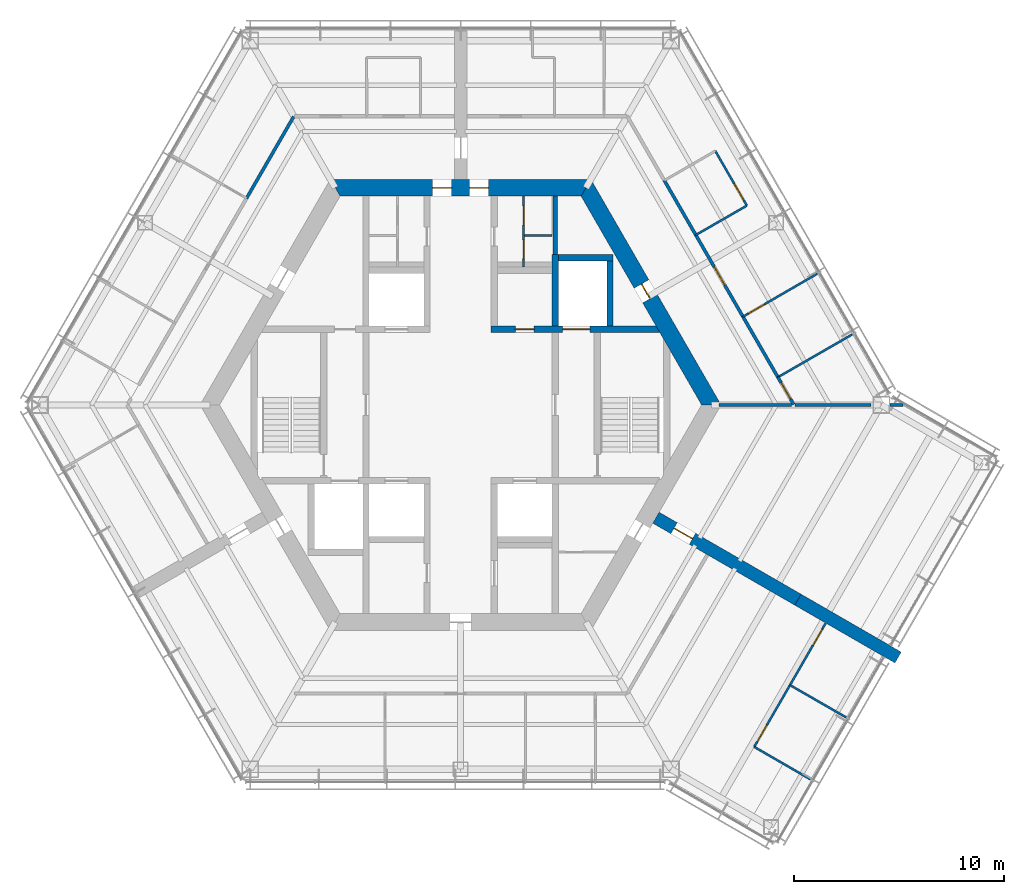
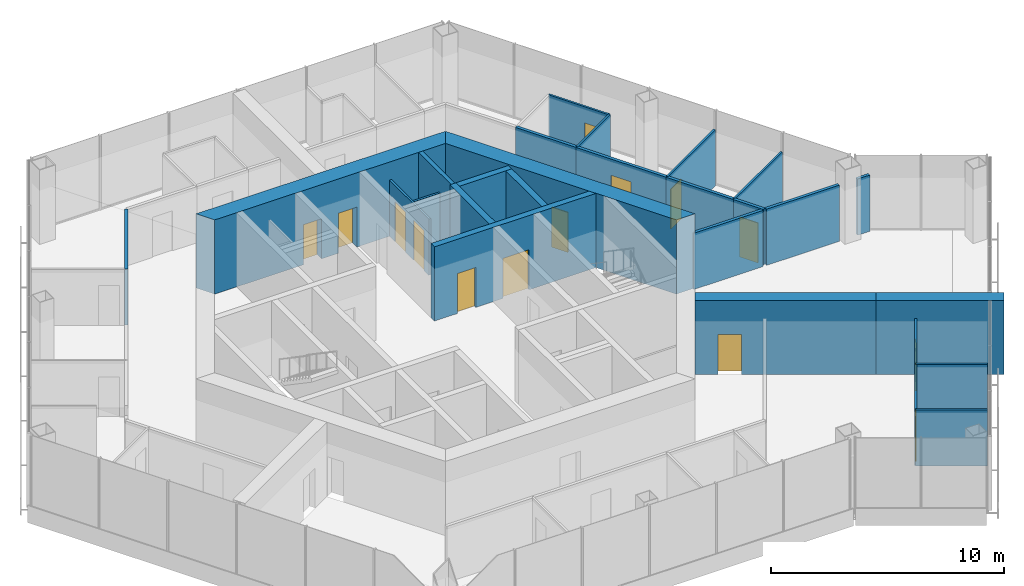
# One storey, part 9 of 13: 27 walls, 14 doors, 14 openings.
"""IFC4 building model written with IfcOpenShell, lengths in metres."""

from ifc_helpers import new_model, si_unit, direction, frame, frame_2d, origin, place, context, subcontext, project, spatial, polyline, rectangle, outline, extrude, material, layer, layer_set, type_object, element, fill, save


model = new_model("IFC4")

# Units and contexts
model_context = context("Model", 3, precision=1e-05, world=origin(), true_north=direction((0.0, 1.0)))
body_context = subcontext(model_context, "Body", "Model", "MODEL_VIEW")
ifc_project = project(units=[si_unit("LENGTHUNIT", "METRE"), si_unit("AREAUNIT", "SQUARE_METRE"), si_unit("VOLUMEUNIT", "CUBIC_METRE"), si_unit("PLANEANGLEUNIT", "RADIAN"), si_unit("MASSUNIT", "GRAM", prefix="KILO")], contexts=[model_context])

# Site, building, storey
site_placement = place(None, origin())
site = spatial("IfcSite", under=ifc_project, at=site_placement, CompositionType="ELEMENT")
building_placement = place(site_placement, origin())
building = spatial("IfcBuilding", under=site, at=building_placement, Name="Kasaneha Research Tower", CompositionType="ELEMENT")
storey_placement = place(building_placement, frame((0.0, 0.0, 271.300048828125)))
storey = spatial("IfcBuildingStorey", under=building, at=storey_placement, Name="L68", CompositionType="ELEMENT", Elevation=271.300048828125)

# Wall, openings, doors
ifc_material_1 = material(Name="Concrete Fc60", Category="concrete")
ifc_layer_1 = layer(ifc_material_1, 0.300048828125)
ifc_layer_set_1 = layer_set([ifc_layer_1], Name="Core internal wall 300 Fc60")
wall_type_1 = type_object("IfcWallType", Name="Core internal wall 300 Fc60", PredefinedType="SHEAR", material=ifc_layer_set_1)
wall_1_placement = place(storey_placement, frame((1.449951171875, 3.60009765625, 0.0), z_axis=(0.0, 0.0, 1.0), x_axis=(1.0, 0.0, 0.0)))
wall_1 = element("IfcWall", 1, at=wall_1_placement, inside=storey, type_object=wall_type_1, Name="Core wall W1E L68", PredefinedType="SHEAR", context=body_context, shape_type="SweptSolid", body=[
    extrude(outline(polyline([(0.0, -0.14990234375), (1.14990234375, -0.14990234375), (2.0498046875, -0.14990234375), (3.39990234375, -0.14990234375), (4.699951171875, -0.14990234375), (8.0185546875, -0.14990234375), (7.84521484375, 0.14990234375), (4.699951171875, 0.14990234375), (3.39990234375, 0.14990234375), (2.0498046875, 0.14990234375), (1.14990234375, 0.14990234375), (0.0, 0.14990234375), (0.0, -0.14990234375)])), origin(), (0.0, 0.0, 1.0), 3.89990234375),
])
opening_1_placement = place(wall_1_placement, frame((1.14990234375, 0.0, 0.0)))
opening_1 = element("IfcOpeningElement", 2, at=opening_1_placement, cuts=wall_1, Name="Opening L68-D17", PredefinedType="OPENING", context=body_context, shape_type="SweptSolid", body=[
    extrude(rectangle(XDim=0.89990234375, YDim=2.10009765625, at=frame_2d((0.449951171875, 1.050048828125))), frame((0.0, 0.16015625, 0.0), z_axis=(0.0, -1.0, 0.0), x_axis=(1.0, 0.0, 0.0)), (0.0, 0.0, 1.0), 0.320068359375),
])
opening_2_placement = place(wall_1_placement, frame((3.39990234375, 0.0, 0.0)))
opening_2 = element("IfcOpeningElement", 3, at=opening_2_placement, cuts=wall_1, Name="Opening LD-FL1-L68", PredefinedType="OPENING", context=body_context, shape_type="SweptSolid", body=[
    extrude(rectangle(XDim=1.300048828125, YDim=2.10009765625, at=frame_2d((0.64990234375, 1.050048828125))), frame((0.0, 0.16015625, 0.0), z_axis=(0.0, -1.0, 0.0), x_axis=(1.0, 0.0, 0.0)), (0.0, 0.0, 1.0), 0.320068359375),
])
ifc_material_2 = material(Name="Steel", Category="steel")
door_type_1 = type_object("IfcDoorType", Name="Lift landing door 1300x2100", OperationType="DOUBLE_DOOR_SLIDING", PredefinedType="DOOR", material=ifc_material_2)
door_1_placement = place(opening_2_placement, origin())
door_1 = element("IfcDoor", 4, at=door_1_placement, inside=storey, type_object=door_type_1, Name="Landing door FL1 LD-FL1-L68", OperationType="DOUBLE_DOOR_SLIDING", OverallHeight=2.10009765625, OverallWidth=1.300048828125, PredefinedType="DOOR", context=body_context, shape_type="SweptSolid", body=[
    extrude(rectangle(XDim=1.300048828125, YDim=2.10009765625, at=frame_2d((0.64990234375, 1.050048828125))), frame((0.0, 0.02490234375, 0.0), z_axis=(0.0, -1.0, 0.0), x_axis=(1.0, 0.0, 0.0)), (0.0, 0.0, 1.0), 0.050048828125),
])
fill(opening_2, door_1)
ifc_material_3 = material(Name="Steel", Category="steel")
door_type_2 = type_object("IfcDoorType", Name="Shaft room door FD60 900x2100", OperationType="NOTDEFINED", PredefinedType="DOOR", material=ifc_material_3)
door_2_placement = place(opening_1_placement, origin())
door_2 = element("IfcDoor", 5, at=door_2_placement, inside=storey, type_object=door_type_2, Name="Mail room door L68-D17", OperationType="SINGLE_SWING_LEFT", OverallHeight=2.10009765625, OverallWidth=0.89990234375, PredefinedType="DOOR", context=body_context, shape_type="SweptSolid", body=[
    extrude(rectangle(XDim=0.89990234375, YDim=2.10009765625, at=frame_2d((0.449951171875, 1.050048828125))), frame((0.0, 0.02490234375, 0.0), z_axis=(0.0, -1.0, 0.0), x_axis=(1.0, 0.0, 0.0)), (0.0, 0.0, 1.0), 0.050048828125),
])
fill(opening_1, door_2)

# Walls
wall_2_placement = place(storey_placement, frame((4.5, 3.75, 0.0), z_axis=(0.0, 0.0, 1.0), x_axis=(0.0, 1.0, 0.0)))
element("IfcWall", 6, at=wall_2_placement, inside=storey, type_object=wall_type_1, Name="Core wall FNE L68", PredefinedType="SHEAR", context=body_context, shape_type="SweptSolid", body=[
    extrude(rectangle(XDim=3.39990234375, YDim=0.300048828125, at=frame_2d((1.699951171875, 0.0))), origin(), (0.0, 0.0, 1.0), 3.89990234375),
])
wall_3_placement = place(storey_placement, frame((4.64990234375, 7.0, 0.0), z_axis=(0.0, 0.0, 1.0), x_axis=(1.0, 0.0, 0.0)))
element("IfcWall", 7, at=wall_3_placement, inside=storey, type_object=wall_type_1, Name="Core wall F1N L68", PredefinedType="SHEAR", context=body_context, shape_type="SweptSolid", body=[
    extrude(rectangle(XDim=2.60009765625, YDim=0.300048828125, at=frame_2d((1.300048828125, 0.0))), origin(), (0.0, 0.0, 1.0), 3.89990234375),
])
wall_4_placement = place(storey_placement, frame((7.10009765625, 3.75, 0.0), z_axis=(0.0, 0.0, 1.0), x_axis=(0.0, 1.0, 0.0)))
element("IfcWall", 8, at=wall_4_placement, inside=storey, type_object=wall_type_1, Name="Core wall F1E L68", PredefinedType="SHEAR", context=body_context, shape_type="SweptSolid", body=[
    extrude(rectangle(XDim=3.10009765625, YDim=0.300048828125, at=frame_2d((1.550048828125, 0.0))), origin(), (0.0, 0.0, 1.0), 3.89990234375),
])

# Wall, opening, door
ifc_material_4 = material(Name="Concrete Fc60", Category="concrete")
ifc_layer_2 = layer(ifc_material_4, 0.800048828125)
ifc_layer_set_2 = layer_set([ifc_layer_2], Name="Core wall 800 Fc60")
wall_type_2 = type_object("IfcWallType", Name="Core wall 800 Fc60", PredefinedType="SHEAR", material=ifc_layer_set_2)
wall_5_placement = place(storey_placement, frame((11.92236328125, 0.0, 0.0), z_axis=(0.0, 0.0, 1.0), x_axis=(-0.500004296715, 0.866022923061, 0.0)))
wall_5 = element("IfcWall", 9, at=wall_5_placement, inside=storey, type_object=wall_type_2, Name="Core wall 030 L68", PredefinedType="SHEAR", context=body_context, shape_type="SweptSolid", body=[
    extrude(outline(polyline([(-0.23095703125, -0.39990234375), (5.83544921875, -0.39990234375), (6.635498046875, -0.39990234375), (12.1533203125, -0.39990234375), (11.69140625, 0.39990234375), (6.635498046875, 0.39990234375), (5.83544921875, 0.39990234375), (0.23095703125, 0.39990234375), (-0.23095703125, -0.39990234375)])), origin(), (0.0, 0.0, 1.0), 3.89990234375),
])
opening_3_placement = place(wall_5_placement, frame((5.83544921875, 0.0, 0.0)))
opening_3 = element("IfcOpeningElement", 10, at=opening_3_placement, cuts=wall_5, Name="Opening L68-D04", PredefinedType="OPENING", context=body_context, shape_type="SweptSolid", body=[
    extrude(rectangle(XDim=0.800048828125, YDim=2.10009765625, at=frame_2d((0.39990234375, 1.050048828125))), frame((0.0, 0.41015625, 0.0), z_axis=(0.0, -1.0, 0.0), x_axis=(1.0, 0.0, 0.0)), (0.0, 0.0, 1.0), 0.820068359375),
])
ifc_material_5 = material(Name="Steel", Category="steel")
door_type_3 = type_object("IfcDoorType", Name="Riser access door FD60 800x2100", OperationType="NOTDEFINED", PredefinedType="DOOR", material=ifc_material_5)
door_3_placement = place(opening_3_placement, origin())
door_3 = element("IfcDoor", 11, at=door_3_placement, inside=storey, type_object=door_type_3, Name="Pipe riser door L68-D04", OperationType="SINGLE_SWING_RIGHT", OverallHeight=2.10009765625, OverallWidth=0.800048828125, PredefinedType="DOOR", context=body_context, shape_type="SweptSolid", body=[
    extrude(rectangle(XDim=0.800048828125, YDim=2.10009765625, at=frame_2d((0.39990234375, 1.050048828125))), frame((0.0, 0.02490234375, 0.0), z_axis=(0.0, -1.0, 0.0), x_axis=(1.0, 0.0, 0.0)), (0.0, 0.0, 1.0), 0.050048828125),
])
fill(opening_3, door_3)

# Wall, openings, doors
wall_6_placement = place(storey_placement, frame((5.961181640625, 10.324951171875, 0.0), z_axis=(0.0, 0.0, 1.0), x_axis=(-1.0, 0.0, 0.0)))
wall_6 = element("IfcWall", 12, at=wall_6_placement, inside=storey, type_object=wall_type_2, Name="Core wall 090 L68", PredefinedType="SHEAR", context=body_context, shape_type="SweptSolid", body=[
    extrude(outline(polyline([(-0.23095703125, -0.39990234375), (4.63623046875, -0.39990234375), (5.5361328125, -0.39990234375), (6.38623046875, -0.39990234375), (7.2861328125, -0.39990234375), (12.1533203125, -0.39990234375), (11.69140625, 0.39990234375), (7.2861328125, 0.39990234375), (6.38623046875, 0.39990234375), (5.5361328125, 0.39990234375), (4.63623046875, 0.39990234375), (0.23095703125, 0.39990234375), (-0.23095703125, -0.39990234375)])), origin(), (0.0, 0.0, 1.0), 3.89990234375),
])
opening_4_placement = place(wall_6_placement, frame((6.38623046875, 0.0, 0.0)))
opening_4 = element("IfcOpeningElement", 13, at=opening_4_placement, cuts=wall_6, Name="Opening L68-D01", PredefinedType="OPENING", context=body_context, shape_type="SweptSolid", body=[
    extrude(rectangle(XDim=0.89990234375, YDim=2.10009765625, at=frame_2d((0.449951171875, 1.050048828125))), frame((0.0, 0.41015625, 0.0), z_axis=(0.0, -1.0, 0.0), x_axis=(1.0, 0.0, 0.0)), (0.0, 0.0, 1.0), 0.820068359375),
])
opening_5_placement = place(wall_6_placement, frame((4.63623046875, 0.0, 0.0)))
opening_5 = element("IfcOpeningElement", 14, at=opening_5_placement, cuts=wall_6, Name="Opening L68-D02", PredefinedType="OPENING", context=body_context, shape_type="SweptSolid", body=[
    extrude(rectangle(XDim=0.89990234375, YDim=2.10009765625, at=frame_2d((0.449951171875, 1.050048828125))), frame((0.0, 0.41015625, 0.0), z_axis=(0.0, -1.0, 0.0), x_axis=(1.0, 0.0, 0.0)), (0.0, 0.0, 1.0), 0.820068359375),
])
ifc_material_6 = material(Name="Steel", Category="steel")
door_type_4 = type_object("IfcDoorType", Name="Toilet door FD20 900x2100", OperationType="NOTDEFINED", PredefinedType="DOOR", material=ifc_material_6)
door_4_placement = place(opening_4_placement, origin())
door_4 = element("IfcDoor", 15, at=door_4_placement, inside=storey, type_object=door_type_4, Name="Core door north 1 L68-D01", OperationType="SINGLE_SWING_RIGHT", OverallHeight=2.10009765625, OverallWidth=0.89990234375, PredefinedType="DOOR", context=body_context, shape_type="SweptSolid", body=[
    extrude(rectangle(XDim=0.89990234375, YDim=2.10009765625, at=frame_2d((0.449951171875, 1.050048828125))), frame((0.0, 0.02490234375, 0.0), z_axis=(0.0, -1.0, 0.0), x_axis=(1.0, 0.0, 0.0)), (0.0, 0.0, 1.0), 0.050048828125),
])
fill(opening_4, door_4)
door_5_placement = place(opening_5_placement, origin())
door_5 = element("IfcDoor", 16, at=door_5_placement, inside=storey, type_object=door_type_4, Name="Core door north 2 L68-D02", OperationType="SINGLE_SWING_LEFT", OverallHeight=2.10009765625, OverallWidth=0.89990234375, PredefinedType="DOOR", context=body_context, shape_type="SweptSolid", body=[
    extrude(rectangle(XDim=0.89990234375, YDim=2.10009765625, at=frame_2d((0.449951171875, 1.050048828125))), frame((0.0, 0.02490234375, 0.0), z_axis=(0.0, -1.0, 0.0), x_axis=(1.0, 0.0, 0.0)), (0.0, 0.0, 1.0), 0.050048828125),
])
fill(opening_5, door_5)

ifc_material_7 = material(Name="Gypsum board on steel studs, one layer each side", Category="steel")
ifc_layer_3 = layer(ifc_material_7, 0.10009765625)
ifc_layer_set_3 = layer_set([ifc_layer_3], Name="Office partition 100")
wall_type_3 = type_object("IfcWallType", Name="Office partition 100", PredefinedType="PARTITIONING", material=ifc_layer_set_3)
wall_7_placement = place(storey_placement, frame((3.0, 6.550048828125, 0.0), z_axis=(0.0, 0.0, 1.0), x_axis=(0.0, 1.0, 0.0)))
wall_7 = element("IfcWall", 17, at=wall_7_placement, inside=storey, type_object=wall_type_3, Name="Office partition TBF1 L68", PredefinedType="PARTITIONING", context=body_context, shape_type="SweptSolid", body=[
    extrude(rectangle(XDim=3.375, YDim=0.10009765625, at=frame_2d((1.6875, 0.0))), origin(), (0.0, 0.0, 1.0), 2.949951171875),
])
opening_6_placement = place(wall_7_placement, frame((2.012451171875, 0.0, 0.0)))
opening_6 = element("IfcOpeningElement", 18, at=opening_6_placement, cuts=wall_7, Name="Opening L68-D23", PredefinedType="OPENING", context=body_context, shape_type="SweptSolid", body=[
    extrude(rectangle(XDim=0.89990234375, YDim=2.10009765625, at=frame_2d((0.449951171875, 1.050048828125))), frame((0.0, 0.06005859375, 0.0), z_axis=(0.0, -1.0, 0.0), x_axis=(1.0, 0.0, 0.0)), (0.0, 0.0, 1.0), 0.1201171875),
])
opening_7_placement = place(wall_7_placement, frame((0.39990234375, 0.0, 0.0)))
opening_7 = element("IfcOpeningElement", 19, at=opening_7_placement, cuts=wall_7, Name="Opening L68-D24", PredefinedType="OPENING", context=body_context, shape_type="SweptSolid", body=[
    extrude(rectangle(XDim=0.89990234375, YDim=2.10009765625, at=frame_2d((0.449951171875, 1.050048828125))), frame((0.0, 0.06005859375, 0.0), z_axis=(0.0, -1.0, 0.0), x_axis=(1.0, 0.0, 0.0)), (0.0, 0.0, 1.0), 0.1201171875),
])
ifc_material_8 = material(Name="Steel", Category="steel")
door_type_5 = type_object("IfcDoorType", Name="Toilet lobby door FD30 900x2100", OperationType="NOTDEFINED", PredefinedType="DOOR", material=ifc_material_8)
door_6_placement = place(opening_6_placement, origin())
door_6 = element("IfcDoor", 20, at=door_6_placement, inside=storey, type_object=door_type_5, Name="Women's WC door L68-D23", OperationType="SINGLE_SWING_RIGHT", OverallHeight=2.10009765625, OverallWidth=0.89990234375, PredefinedType="DOOR", context=body_context, shape_type="SweptSolid", body=[
    extrude(rectangle(XDim=0.89990234375, YDim=2.10009765625, at=frame_2d((0.449951171875, 1.050048828125))), frame((0.0, 0.02490234375, 0.0), z_axis=(0.0, -1.0, 0.0), x_axis=(1.0, 0.0, 0.0)), (0.0, 0.0, 1.0), 0.050048828125),
])
fill(opening_6, door_6)
door_7_placement = place(opening_7_placement, origin())
door_7 = element("IfcDoor", 21, at=door_7_placement, inside=storey, type_object=door_type_5, Name="Parents' room door L68-D24", OperationType="SINGLE_SWING_RIGHT", OverallHeight=2.10009765625, OverallWidth=0.89990234375, PredefinedType="DOOR", context=body_context, shape_type="SweptSolid", body=[
    extrude(rectangle(XDim=0.89990234375, YDim=2.10009765625, at=frame_2d((0.449951171875, 1.050048828125))), frame((0.0, 0.02490234375, 0.0), z_axis=(0.0, -1.0, 0.0), x_axis=(1.0, 0.0, 0.0)), (0.0, 0.0, 1.0), 0.050048828125),
])
fill(opening_7, door_7)

# Wall
wall_8_placement = place(storey_placement, frame((3.050048828125, 8.050048828125, 0.0), z_axis=(0.0, 0.0, 1.0), x_axis=(1.0, 0.0, 0.0)))
element("IfcWall", 22, at=wall_8_placement, inside=storey, type_object=wall_type_3, Name="Office partition TBF2 L68", PredefinedType="PARTITIONING", context=body_context, shape_type="SweptSolid", body=[
    extrude(rectangle(XDim=1.300048828125, YDim=0.10009765625, at=frame_2d((0.64990234375, 0.0))), origin(), (0.0, 0.0, 1.0), 2.949951171875),
])

# Wall, opening, door
wall_9_placement = place(storey_placement, frame((12.111083984375, 12.072998046875, 0.0), z_axis=(0.0, 0.0, 1.0), x_axis=(0.499990139034, -0.866031096941, 0.0)))
wall_9 = element("IfcWall", 23, at=wall_9_placement, inside=storey, type_object=wall_type_3, Name="Office partition FAE13 L68", PredefinedType="PARTITIONING", context=body_context, shape_type="SweptSolid", body=[
    extrude(rectangle(XDim=3.0, YDim=0.10009765625, at=frame_2d((1.5, 0.0))), origin(), (0.0, 0.0, 1.0), 2.949951171875),
])
opening_8_placement = place(wall_9_placement, frame((1.800048828125, 0.0, 0.0)))
opening_8 = element("IfcOpeningElement", 24, at=opening_8_placement, cuts=wall_9, Name="Opening L68-D29", PredefinedType="OPENING", context=body_context, shape_type="SweptSolid", body=[
    extrude(rectangle(XDim=0.89990234375, YDim=2.10009765625, at=frame_2d((0.449951171875, 1.050048828125))), frame((0.0, 0.06005859375, 0.0), z_axis=(0.0, -1.0, 0.0), x_axis=(1.0, 0.0, 0.0)), (0.0, 0.0, 1.0), 0.1201171875),
])
ifc_material_9 = material(Name="Timber veneer", Category="wood")
door_type_6 = type_object("IfcDoorType", Name="Office door 900x2100", OperationType="SINGLE_SWING_LEFT", PredefinedType="DOOR", material=ifc_material_9)
door_8_placement = place(opening_8_placement, origin())
door_8 = element("IfcDoor", 25, at=door_8_placement, inside=storey, type_object=door_type_6, Name="Pantry door L68-D29", OperationType="SINGLE_SWING_RIGHT", OverallHeight=2.10009765625, OverallWidth=0.89990234375, PredefinedType="DOOR", context=body_context, shape_type="SweptSolid", body=[
    extrude(rectangle(XDim=0.89990234375, YDim=2.10009765625, at=frame_2d((0.449951171875, 1.050048828125))), frame((0.0, 0.02490234375, 0.0), z_axis=(0.0, -1.0, 0.0), x_axis=(1.0, 0.0, 0.0)), (0.0, 0.0, 1.0), 0.050048828125),
])
fill(opening_8, door_8)

# Walls
wall_10_placement = place(storey_placement, frame((13.611083984375, 9.474853515625, 0.0), z_axis=(0.0, 0.0, 1.0), x_axis=(-0.866833758708, -0.498597267105, 0.0)))
element("IfcWall", 26, at=wall_10_placement, inside=storey, type_object=wall_type_3, Name="Office partition FAE14 L68", PredefinedType="PARTITIONING", context=body_context, shape_type="SweptSolid", body=[
    extrude(rectangle(XDim=2.7998046875, YDim=0.10009765625, at=frame_2d((1.39990234375, 0.0))), origin(), (0.0, 0.0, 1.0), 2.949951171875),
])
wall_11_placement = place(storey_placement, frame((18.619873046875, 3.3505859375, 0.0), z_axis=(0.0, 0.0, 1.0), x_axis=(-0.866635015839, -0.498942631293, 0.0)))
element("IfcWall", 27, at=wall_11_placement, inside=storey, type_object=wall_type_3, Name="Office partition FAE15 L68", PredefinedType="PARTITIONING", context=body_context, shape_type="SweptSolid", body=[
    extrude(rectangle(XDim=4.075439453125, YDim=0.10009765625, at=frame_2d((2.03759765625, 0.0))), origin(), (0.0, 0.0, 1.0), 2.949951171875),
])

# Wall, opening, door
wall_12_placement = place(storey_placement, frame((13.427001953125, 4.193603515625, 0.0), z_axis=(0.0, 0.0, 1.0), x_axis=(0.865490372379, 0.500925558661, 0.0)))
wall_12 = element("IfcWall", 28, at=wall_12_placement, inside=storey, type_object=wall_type_3, Name="Office partition FAE16 L68", PredefinedType="PARTITIONING", context=body_context, shape_type="SweptSolid", body=[
    extrude(rectangle(XDim=4.085693359375, YDim=0.10009765625, at=frame_2d((2.04296875, 0.0))), origin(), (0.0, 0.0, 1.0), 2.949951171875),
])
opening_9_placement = place(wall_12_placement, frame((0.300048828125, 0.0, 0.0)))
opening_9 = element("IfcOpeningElement", 29, at=opening_9_placement, cuts=wall_12, Name="Opening L68-D30", PredefinedType="OPENING", context=body_context, shape_type="SweptSolid", body=[
    extrude(rectangle(XDim=0.89990234375, YDim=2.10009765625, at=frame_2d((0.449951171875, 1.050048828125))), frame((0.0, 0.06005859375, 0.0), z_axis=(0.0, -1.0, 0.0), x_axis=(1.0, 0.0, 0.0)), (0.0, 0.0, 1.0), 0.1201171875),
])
door_9_placement = place(opening_9_placement, origin())
door_9 = element("IfcDoor", 30, at=door_9_placement, inside=storey, type_object=door_type_6, Name="Meeting room door L68-D30", OperationType="SINGLE_SWING_LEFT", OverallHeight=2.10009765625, OverallWidth=0.89990234375, PredefinedType="DOOR", context=body_context, shape_type="SweptSolid", body=[
    extrude(rectangle(XDim=0.89990234375, YDim=2.10009765625, at=frame_2d((0.449951171875, 1.050048828125))), frame((0.0, 0.02490234375, 0.0), z_axis=(0.0, -1.0, 0.0), x_axis=(1.0, 0.0, 0.0)), (0.0, 0.0, 1.0), 0.050048828125),
])
fill(opening_9, door_9)

# Wall
wall_13_placement = place(storey_placement, frame((15.658935546875, -13.31884765625, 0.0), z_axis=(0.0, 0.0, 1.0), x_axis=(0.866844641549, -0.498578346319, 0.0)))
element("IfcWall", 31, at=wall_13_placement, inside=storey, type_object=wall_type_3, Name="Office partition FCS09 L68", PredefinedType="PARTITIONING", context=body_context, shape_type="SweptSolid", body=[
    extrude(rectangle(XDim=3.080078125, YDim=0.10009765625, at=frame_2d((1.5400390625, 0.0))), origin(), (0.0, 0.0, 1.0), 2.949951171875),
])

# Wall, opening, door
wall_14_placement = place(storey_placement, frame((13.96142578125, -16.259033203125, 0.0), z_axis=(0.0, 0.0, 1.0), x_axis=(0.501149490816, 0.865360727012, 0.0)))
wall_14 = element("IfcWall", 32, at=wall_14_placement, inside=storey, type_object=wall_type_3, Name="Office partition FCS10 L68", PredefinedType="PARTITIONING", context=body_context, shape_type="SweptSolid", body=[
    extrude(rectangle(XDim=3.39990234375, YDim=0.10009765625, at=frame_2d((1.699951171875, 0.0))), origin(), (0.0, 0.0, 1.0), 2.949951171875),
])
opening_10_placement = place(wall_14_placement, frame((0.300048828125, 0.0, 0.0)))
opening_10 = element("IfcOpeningElement", 33, at=opening_10_placement, cuts=wall_14, Name="Opening L68-D43", PredefinedType="OPENING", context=body_context, shape_type="SweptSolid", body=[
    extrude(rectangle(XDim=0.89990234375, YDim=2.10009765625, at=frame_2d((0.449951171875, 1.050048828125))), frame((0.0, 0.06005859375, 0.0), z_axis=(0.0, -1.0, 0.0), x_axis=(1.0, 0.0, 0.0)), (0.0, 0.0, 1.0), 0.1201171875),
])
door_10_placement = place(opening_10_placement, origin())
door_10 = element("IfcDoor", 34, at=door_10_placement, inside=storey, type_object=door_type_6, Name="Project room door L68-D43", OperationType="SINGLE_SWING_LEFT", OverallHeight=2.10009765625, OverallWidth=0.89990234375, PredefinedType="DOOR", context=body_context, shape_type="SweptSolid", body=[
    extrude(rectangle(XDim=0.89990234375, YDim=2.10009765625, at=frame_2d((0.449951171875, 1.050048828125))), frame((0.0, 0.02490234375, 0.0), z_axis=(0.0, -1.0, 0.0), x_axis=(1.0, 0.0, 0.0)), (0.0, 0.0, 1.0), 0.050048828125),
])
fill(opening_10, door_10)

# Wall
wall_15_placement = place(storey_placement, frame((16.62890625, -17.799072265625, 0.0), z_axis=(0.0, 0.0, 1.0), x_axis=(-0.866029832698, 0.499992328818, 0.0)))
element("IfcWall", 35, at=wall_15_placement, inside=storey, type_object=wall_type_3, Name="Office partition FCS11 L68", PredefinedType="PARTITIONING", context=body_context, shape_type="SweptSolid", body=[
    extrude(rectangle(XDim=3.080078125, YDim=0.10009765625, at=frame_2d((1.5400390625, 0.0))), origin(), (0.0, 0.0, 1.0), 2.949951171875),
])

# Wall, opening, door
wall_16_placement = place(storey_placement, frame((15.665283203125, -13.31689453125, 0.0), z_axis=(0.0, 0.0, 1.0), x_axis=(0.498882251571, 0.866669775098, 0.0)))
wall_16 = element("IfcWall", 36, at=wall_16_placement, inside=storey, type_object=wall_type_3, Name="Office partition FCS12 L68", PredefinedType="PARTITIONING", context=body_context, shape_type="SweptSolid", body=[
    extrude(rectangle(XDim=3.380126953125, YDim=0.10009765625, at=frame_2d((1.68994140625, 0.0))), origin(), (0.0, 0.0, 1.0), 2.949951171875),
])
opening_11_placement = place(wall_16_placement, frame((2.179931640625, 0.0, 0.0)))
opening_11 = element("IfcOpeningElement", 37, at=opening_11_placement, cuts=wall_16, Name="Opening L68-D44", PredefinedType="OPENING", context=body_context, shape_type="SweptSolid", body=[
    extrude(rectangle(XDim=0.89990234375, YDim=2.10009765625, at=frame_2d((0.449951171875, 1.050048828125))), frame((0.0, 0.06005859375, 0.0), z_axis=(0.0, -1.0, 0.0), x_axis=(1.0, 0.0, 0.0)), (0.0, 0.0, 1.0), 0.1201171875),
])
door_11_placement = place(opening_11_placement, origin())
door_11 = element("IfcDoor", 38, at=door_11_placement, inside=storey, type_object=door_type_6, Name="Workroom door L68-D44", OperationType="SINGLE_SWING_RIGHT", OverallHeight=2.10009765625, OverallWidth=0.89990234375, PredefinedType="DOOR", context=body_context, shape_type="SweptSolid", body=[
    extrude(rectangle(XDim=0.89990234375, YDim=2.10009765625, at=frame_2d((0.449951171875, 1.050048828125))), frame((0.0, 0.02490234375, 0.0), z_axis=(0.0, -1.0, 0.0), x_axis=(1.0, 0.0, 0.0)), (0.0, 0.0, 1.0), 0.050048828125),
])
fill(opening_11, door_11)

# Wall
ifc_material_10 = material(Name="Concrete block", Category="concrete")
ifc_layer_4 = layer(ifc_material_10, 0.199951171875)
ifc_layer_set_4 = layer_set([ifc_layer_4], Name="Riser enclosure wall 200")
wall_type_4 = type_object("IfcWallType", Name="Riser enclosure wall 200", PredefinedType="STANDARD", material=ifc_layer_set_4)
wall_17_placement = place(storey_placement, frame((4.5, 7.14990234375, 0.0), z_axis=(0.0, 0.0, 1.0), x_axis=(0.0, 1.0, 0.0)))
element("IfcWall", 39, at=wall_17_placement, inside=storey, type_object=wall_type_4, Name="Riser enclosure wall L68", PredefinedType="STANDARD", context=body_context, shape_type="SweptSolid", body=[
    extrude(rectangle(XDim=2.775146484375, YDim=0.199951171875, at=frame_2d((1.3876953125, 0.0))), origin(), (0.0, 0.0, 1.0), 3.89990234375),
])

# Wall, opening, door
ifc_material_11 = material(Name="Concrete Fc60", Category="concrete")
ifc_layer_5 = layer(ifc_material_11, 0.60009765625)
ifc_layer_set_5 = layer_set([ifc_layer_5], Name="Spine wall 600 Fc60")
wall_type_5 = type_object("IfcWallType", Name="Spine wall 600 Fc60", PredefinedType="SHEAR", material=ifc_layer_set_5)
wall_18_placement = place(storey_placement, frame((9.2880859375, -5.362548828125, 0.0), z_axis=(0.0, 0.0, 1.0), x_axis=(0.866031736626, -0.499989031036, 0.0)))
wall_18 = element("IfcWall", 40, at=wall_18_placement, inside=storey, type_object=wall_type_5, Name="Spine wall C L68", PredefinedType="SHEAR", context=body_context, shape_type="SweptSolid", body=[
    extrude(rectangle(XDim=7.795654296875, YDim=0.60009765625, at=frame_2d((3.89794921875, 0.0))), origin(), (0.0, 0.0, 1.0), 3.89990234375),
])
opening_12_placement = place(wall_18_placement, frame((1.0, 0.0, 0.0)))
opening_12 = element("IfcOpeningElement", 41, at=opening_12_placement, cuts=wall_18, Name="Opening L68-D20", PredefinedType="OPENING", context=body_context, shape_type="SweptSolid", body=[
    extrude(rectangle(XDim=1.0, YDim=2.10009765625, at=frame_2d((0.5, 1.050048828125))), frame((0.0, 0.31005859375, 0.0), z_axis=(0.0, -1.0, 0.0), x_axis=(1.0, 0.0, 0.0)), (0.0, 0.0, 1.0), 0.6201171875),
])
ifc_material_12 = material(Name="Steel", Category="steel")
door_type_7 = type_object("IfcDoorType", Name="Specified fire door FD60 1000x2100", OperationType="NOTDEFINED", PredefinedType="DOOR", material=ifc_material_12)
door_12_placement = place(opening_12_placement, origin())
door_12 = element("IfcDoor", 42, at=door_12_placement, inside=storey, type_object=door_type_7, Name="Spine doorway C L68-D20", OperationType="SINGLE_SWING_LEFT", OverallHeight=2.10009765625, OverallWidth=1.0, PredefinedType="DOOR", context=body_context, shape_type="SweptSolid", body=[
    extrude(rectangle(XDim=1.0, YDim=2.10009765625, at=frame_2d((0.5, 1.050048828125))), frame((0.0, 0.02490234375, 0.0), z_axis=(0.0, -1.0, 0.0), x_axis=(1.0, 0.0, 0.0)), (0.0, 0.0, 1.0), 0.050048828125),
])
fill(opening_12, door_12)

# Walls
wall_19_placement = place(storey_placement, frame((16.039306640625, -9.26025390625, 0.0), z_axis=(0.0, 0.0, 1.0), x_axis=(0.866027397988, -0.499996545922, 0.0)))
element("IfcWall", 43, at=wall_19_placement, inside=storey, type_object=wall_type_5, Name="Spine wall C wing L68", PredefinedType="SHEAR", context=body_context, shape_type="SweptSolid", body=[
    extrude(rectangle(XDim=5.5, YDim=0.60009765625, at=frame_2d((2.75, 0.0))), origin(), (0.0, 0.0, 1.0), 3.89990234375),
])
ifc_material_13 = material(Name="Gypsum board on steel studs, two layers each side", Category="steel")
ifc_layer_6 = layer(ifc_material_13, 0.14990234375)
ifc_layer_set_6 = layer_set([ifc_layer_6], Name="Suite partition 150")
wall_type_6 = type_object("IfcWallType", Name="Suite partition 150", PredefinedType="PARTITIONING", material=ifc_layer_set_6)
wall_20_placement = place(storey_placement, frame((9.68359375, 10.67724609375, 0.0), z_axis=(0.0, 0.0, 1.0), x_axis=(0.500038395149, -0.8660032352, 0.0)))
element("IfcWall", 44, at=wall_20_placement, inside=storey, type_object=wall_type_6, Name="Suite partition FAE02 L68", PredefinedType="PARTITIONING", context=body_context, shape_type="SweptSolid", body=[
    extrude(rectangle(XDim=3.010009765625, YDim=0.14990234375, at=frame_2d((1.5048828125, 0.0))), origin(), (0.0, 0.0, 1.0), 2.949951171875),
])
wall_21_placement = place(storey_placement, frame((13.42236328125, 4.201904296875, 0.0), z_axis=(0.0, 0.0, 1.0), x_axis=(0.499958601013, -0.866049304181, 0.0)))
element("IfcWall", 45, at=wall_21_placement, inside=storey, type_object=wall_type_6, Name="Suite partition FAE03 L68", PredefinedType="PARTITIONING", context=body_context, shape_type="SweptSolid", body=[
    extrude(rectangle(XDim=3.341064453125, YDim=0.14990234375, at=frame_2d((1.67041015625, 0.0))), origin(), (0.0, 0.0, 1.0), 2.949951171875),
])

# Wall, opening, door
wall_22_placement = place(storey_placement, frame((15.087890625, 1.317138671875, 0.0), z_axis=(0.0, 0.0, 1.0), x_axis=(0.499943519313, -0.866058010469, 0.0)))
wall_22 = element("IfcWall", 46, at=wall_22_placement, inside=storey, type_object=wall_type_6, Name="Suite partition FAE05 L68", PredefinedType="PARTITIONING", context=body_context, shape_type="SweptSolid", body=[
    extrude(rectangle(XDim=1.497802734375, YDim=0.14990234375, at=frame_2d((0.7490234375, 0.0))), origin(), (0.0, 0.0, 1.0), 2.949951171875),
])
opening_13_placement = place(wall_22_placement, frame((0.299072265625, 0.0, 0.0)))
opening_13 = element("IfcOpeningElement", 47, at=opening_13_placement, cuts=wall_22, Name="Opening L68-D27", PredefinedType="OPENING", context=body_context, shape_type="SweptSolid", body=[
    extrude(rectangle(XDim=0.89990234375, YDim=2.10009765625, at=frame_2d((0.449951171875, 1.050048828125))), frame((0.0, 0.0849609375, 0.0), z_axis=(0.0, -1.0, 0.0), x_axis=(1.0, 0.0, 0.0)), (0.0, 0.0, 1.0), 0.169921875),
])
door_13_placement = place(opening_13_placement, origin())
door_13 = element("IfcDoor", 48, at=door_13_placement, inside=storey, type_object=door_type_6, Name="Workroom door L68-D27", OperationType="SINGLE_SWING_RIGHT", OverallHeight=2.10009765625, OverallWidth=0.89990234375, PredefinedType="DOOR", context=body_context, shape_type="SweptSolid", body=[
    extrude(rectangle(XDim=0.89990234375, YDim=2.10009765625, at=frame_2d((0.449951171875, 1.050048828125))), frame((0.0, 0.02490234375, 0.0), z_axis=(0.0, -1.0, 0.0), x_axis=(1.0, 0.0, 0.0)), (0.0, 0.0, 1.0), 0.050048828125),
])
fill(opening_13, door_13)

wall_23_placement = place(storey_placement, frame((11.18408203125, 8.078857421875, 0.0), z_axis=(0.0, 0.0, 1.0), x_axis=(0.499961135754, -0.866047840905, 0.0)))
wall_23 = element("IfcWall", 49, at=wall_23_placement, inside=storey, type_object=wall_type_6, Name="Suite partition FAE08 L68", PredefinedType="PARTITIONING", context=body_context, shape_type="SweptSolid", body=[
    extrude(rectangle(XDim=4.486083984375, YDim=0.14990234375, at=frame_2d((2.2431640625, 0.0))), origin(), (0.0, 0.0, 1.0), 2.949951171875),
])
opening_14_placement = place(wall_23_placement, frame((1.7431640625, 0.0, 0.0)))
opening_14 = element("IfcOpeningElement", 50, at=opening_14_placement, cuts=wall_23, Name="Opening L68-D28", PredefinedType="OPENING", context=body_context, shape_type="SweptSolid", body=[
    extrude(rectangle(XDim=1.0, YDim=2.10009765625, at=frame_2d((0.5, 1.050048828125))), frame((0.0, 0.0849609375, 0.0), z_axis=(0.0, -1.0, 0.0), x_axis=(1.0, 0.0, 0.0)), (0.0, 0.0, 1.0), 0.169921875),
])
ifc_material_14 = material(Name="Steel", Category="steel")
door_type_8 = type_object("IfcDoorType", Name="Suite entrance door FD60 1000x2100", OperationType="NOTDEFINED", PredefinedType="DOOR", material=ifc_material_14)
door_14_placement = place(opening_14_placement, origin())
door_14 = element("IfcDoor", 51, at=door_14_placement, inside=storey, type_object=door_type_8, Name="Suite entrance door L68-D28", OperationType="SINGLE_SWING_LEFT", OverallHeight=2.10009765625, OverallWidth=1.0, PredefinedType="DOOR", context=body_context, shape_type="SweptSolid", body=[
    extrude(rectangle(XDim=1.0, YDim=2.10009765625, at=frame_2d((0.5, 1.050048828125))), frame((0.0, 0.02490234375, 0.0), z_axis=(0.0, -1.0, 0.0), x_axis=(1.0, 0.0, 0.0)), (0.0, 0.0, 1.0), 0.050048828125),
])
fill(opening_14, door_14)

# Walls
wall_24_placement = place(storey_placement, frame((-10.180908203125, 9.816162109375, 0.0), z_axis=(0.0, 0.0, 1.0), x_axis=(0.499975026679, 0.866039821658, 0.0)))
element("IfcWall", 52, at=wall_24_placement, inside=storey, type_object=wall_type_6, Name="Suite partition FBN02 L68", PredefinedType="PARTITIONING", context=body_context, shape_type="SweptSolid", body=[
    extrude(rectangle(XDim=4.490478515625, YDim=0.14990234375, at=frame_2d((2.2451171875, 0.0))), origin(), (0.0, 0.0, 1.0), 2.949951171875),
])
wall_25_placement = place(storey_placement, frame((19.5185546875, 0.0, 0.0), z_axis=(0.0, 0.0, 1.0), x_axis=(-1.0, 0.0, 0.0)))
element("IfcWall", 53, at=wall_25_placement, inside=storey, type_object=wall_type_6, Name="Suite partition closer PT4 L68", PredefinedType="PARTITIONING", context=body_context, shape_type="SweptSolid", body=[
    extrude(rectangle(XDim=3.61181640625, YDim=0.14990234375, at=frame_2d((1.805908203125, 0.0))), origin(), (0.0, 0.0, 1.0), 2.949951171875),
])
wall_26_placement = place(storey_placement, frame((12.2841796875, 0.0, 0.0), z_axis=(0.0, 0.0, 1.0), x_axis=(1.0, 0.0, 0.0)))
element("IfcWall", 54, at=wall_26_placement, inside=storey, type_object=wall_type_6, Name="Suite partition closer PT4 L68", PredefinedType="PARTITIONING", context=body_context, shape_type="SweptSolid", body=[
    extrude(rectangle(XDim=3.43896484375, YDim=0.14990234375, at=frame_2d((1.719482421875, 0.0))), origin(), (0.0, 0.0, 1.0), 2.949951171875),
])
wall_27_placement = place(storey_placement, frame((20.419921875, 0.0, 0.0), z_axis=(0.0, 0.0, 1.0), x_axis=(1.0, 0.0, 0.0)))
element("IfcWall", 55, at=wall_27_placement, inside=storey, type_object=wall_type_6, Name="Suite partition closer PT4 L68", PredefinedType="PARTITIONING", context=body_context, shape_type="SweptSolid", body=[
    extrude(rectangle(XDim=0.614013671875, YDim=0.14990234375, at=frame_2d((0.30712890625, 0.0))), origin(), (0.0, 0.0, 1.0), 2.949951171875),
])

save(model, "model.ifc")
